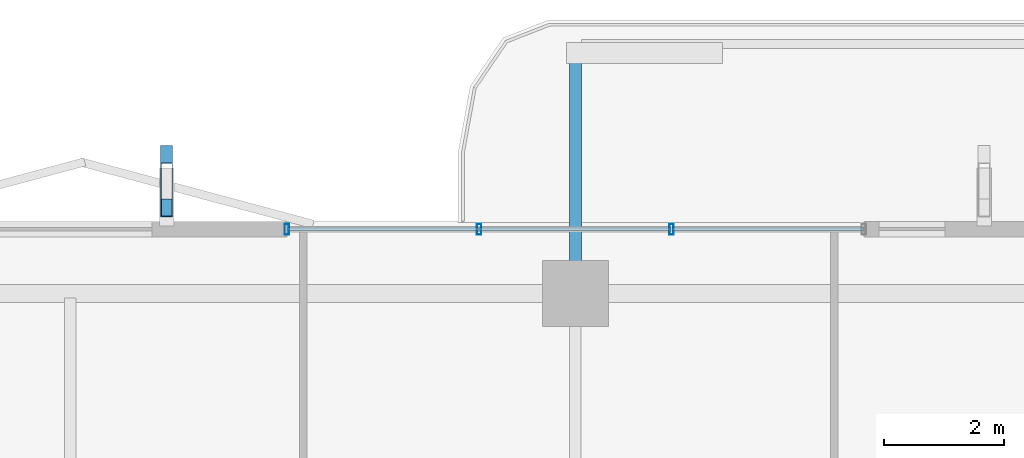
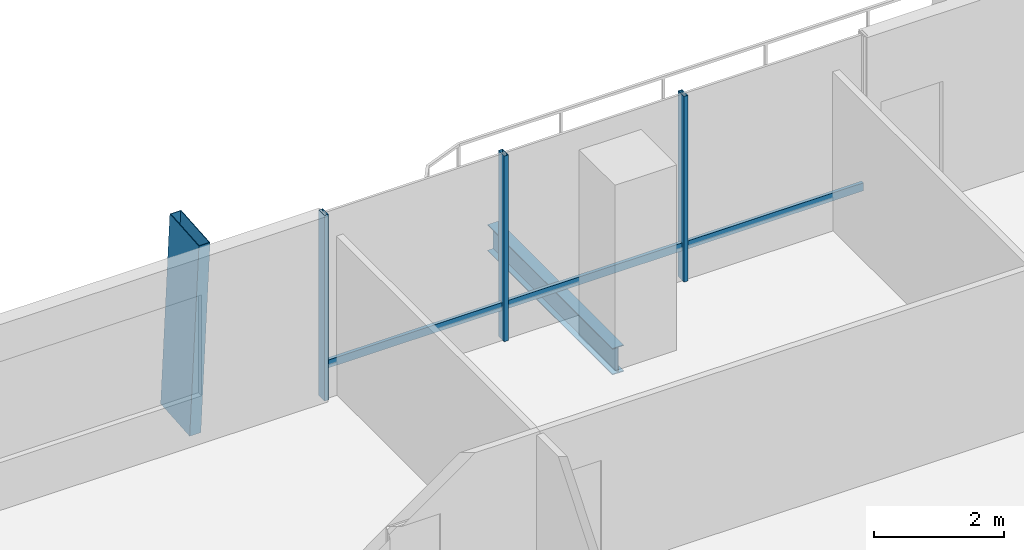
# One storey, part 14 of 25: 7 members, 1 beam, 1 element without a shape of its own.
"""IFC4 building model written with IfcOpenShell, lengths in metres."""

from ifc_helpers import new_model, si_unit, direction, frame, origin, origin_2d, place, context, subcontext, project, spatial, hollow_rectangle, i_section, extrude, material, layer, layer_set, material_profile, profile_set, type_object, element, aggregate, save


model = new_model("IFC4")

# Units and contexts
model_context = context("Model", 3, precision=1e-05, world=origin(), true_north=direction((0.0, 1.0)))
body_context = subcontext(model_context, "Body", "Model", "MODEL_VIEW")
ifc_project = project(units=[si_unit("LENGTHUNIT", "METRE"), si_unit("AREAUNIT", "SQUARE_METRE"), si_unit("VOLUMEUNIT", "CUBIC_METRE"), si_unit("PLANEANGLEUNIT", "RADIAN"), si_unit("MASSUNIT", "GRAM", prefix="KILO")], contexts=[model_context])

# Site, building, storey
site_placement = place(None, origin())
site = spatial("IfcSite", under=ifc_project, at=site_placement, CompositionType="ELEMENT")
building_placement = place(site_placement, origin())
building = spatial("IfcBuilding", under=site, at=building_placement, Name="Belovzor Exchange Tower", CompositionType="ELEMENT")
storey_placement = place(building_placement, frame((0.0, 0.0, 183.300048828125)))
storey = spatial("IfcBuildingStorey", under=building, at=storey_placement, Name="L45", CompositionType="ELEMENT", Elevation=183.300048828125)

# Beam
ifc_material_1 = material(Name="Steel S355", Category="steel")
ifc_material_profile_1 = material_profile(ifc_material_1, i_section(OverallWidth=0.199951171875, OverallDepth=0.5, WebThickness=0.01025390625, FlangeThickness=0.01611328125, at=origin_2d()))
ifc_profile_set_1 = profile_set([ifc_material_profile_1], Name="Steel S355")
beam_type = type_object("IfcBeamType", Name="Planted Balcony Cantilever Beam IPE 500", PredefinedType="BEAM", material=ifc_profile_set_1)
beam_placement = place(storey_placement, frame((28.800048828125, 52.202880859375, -0.505126953125), z_axis=(0.0, 1.0, 0.0), x_axis=(-1.0, 0.0, 0.0)))
element("IfcBeam", 1, at=beam_placement, inside=storey, type_object=beam_type, Name="BC-500 Planted Balcony Cantilever Beam IPE 500", PredefinedType="BEAM", context=body_context, shape_type="SweptSolid", body=[
    extrude(i_section(OverallWidth=0.199951171875, OverallDepth=0.5, WebThickness=0.01025390625, FlangeThickness=0.01611328125, at=origin_2d()), origin(), (0.0, 0.0, 1.0), 3.85009765625),
])

# Member
ifc_material_2 = material(Name="Extruded Architectural Terracotta on Steel S355 Carrier", Category="masonry")
ifc_material_profile_2 = material_profile(ifc_material_2, hollow_rectangle(XDim=0.199951171875, YDim=0.89990234375, WallThickness=0.011962890625, at=origin_2d()))
ifc_profile_set_2 = profile_set([ifc_material_profile_2], Name="Extruded Architectural Terracotta on Steel S355 Carrier")
member_type_1 = type_object("IfcMemberType", Name="Sweeping Terracotta Baguette Fin Assembly 1250", PredefinedType="USERDEFINED", material=ifc_profile_set_2)
member_1_placement = place(storey_placement, frame((22.0, 53.910888671875, -0.255126953125), z_axis=(0.0, -0.076016392655, 0.99710656805), x_axis=(1.0, 0.0, 0.0)))
element("IfcMember", 2, at=member_1_placement, inside=storey, type_object=member_type_1, Name="FIN-TC125 Terracotta Facade Fin L45 N2", ObjectType="FIN", PredefinedType="USERDEFINED", context=body_context, shape_type="SweptSolid", body=[
    extrude(hollow_rectangle(XDim=0.199951171875, YDim=0.89990234375, WallThickness=0.011962890625, at=origin_2d()), origin(), (0.0, 0.0, 1.0), 3.760986328125),
])

# Curtain wall, members
ifc_material_3 = material(Name="Anodised Aluminium Framing", Category="aluminium")
ifc_layer = layer(ifc_material_3, 0.179931640625)
ifc_layer_set = layer_set([ifc_layer], Name="Anodised Aluminium Framing")
curtain_wall_type = type_object("IfcCurtainWallType", Name="Recessed Loggia Low-Iron Triple-Glazed Curtain Wall", PredefinedType="NOTDEFINED", material=ifc_layer_set)
curtain_wall_placement = place(storey_placement, origin())
curtain_wall = element("IfcCurtainWall", 3, at=curtain_wall_placement, inside=storey, type_object=curtain_wall_type, Name="CW3 Recessed Loggia Low-Iron Triple-Glazed Curtain Wall L45", PredefinedType="NOTDEFINED")
ifc_material_4 = material(Name="Steel S355", Category="steel")
ifc_material_profile_3 = material_profile(ifc_material_4, hollow_rectangle(XDim=0.074951171875, YDim=0.179931640625, WallThickness=0.0048828125, at=origin_2d()))
ifc_profile_set_3 = profile_set([ifc_material_profile_3], Name="Steel S355")
member_type_2 = type_object("IfcMemberType", Name="Thermally Broken Curtain Wall Mullion 180x75", PredefinedType="MULLION", material=ifc_profile_set_3)
member_2_placement = place(storey_placement, frame((24.0, 52.969970703125, 0.0), z_axis=(0.0, 0.0, 1.0), x_axis=(1.0, 0.0, 0.0)))
member_2 = element("IfcMember", 4, at=member_2_placement, type_object=member_type_2, Name="CW-M180 Curtain Wall Mullion 1", PredefinedType="MULLION", context=body_context, shape_type="SweptSolid", body=[
    extrude(hollow_rectangle(XDim=0.074951171875, YDim=0.179931640625, WallThickness=0.0048828125, at=origin_2d()), origin(), (0.0, 0.0, 1.0), 3.494873046875),
])
member_3_placement = place(storey_placement, frame((27.199951171875, 52.969970703125, 0.0), z_axis=(0.0, 0.0, 1.0), x_axis=(1.0, 0.0, 0.0)))
member_3 = element("IfcMember", 5, at=member_3_placement, type_object=member_type_2, Name="CW-M180 Curtain Wall Mullion 2", PredefinedType="MULLION", context=body_context, shape_type="SweptSolid", body=[
    extrude(hollow_rectangle(XDim=0.074951171875, YDim=0.179931640625, WallThickness=0.0048828125, at=origin_2d()), origin(), (0.0, 0.0, 1.0), 3.494873046875),
])
member_4_placement = place(storey_placement, frame((30.39990234375, 52.969970703125, 0.0), z_axis=(0.0, 0.0, 1.0), x_axis=(1.0, 0.0, 0.0)))
member_4 = element("IfcMember", 6, at=member_4_placement, type_object=member_type_2, Name="CW-M180 Curtain Wall Mullion 3", PredefinedType="MULLION", context=body_context, shape_type="SweptSolid", body=[
    extrude(hollow_rectangle(XDim=0.074951171875, YDim=0.179931640625, WallThickness=0.0048828125, at=origin_2d()), origin(), (0.0, 0.0, 1.0), 3.494873046875),
])
ifc_material_5 = material(Name="Steel S355", Category="steel")
ifc_material_profile_4 = material_profile(ifc_material_5, hollow_rectangle(XDim=0.06005859375, YDim=0.14990234375, WallThickness=0.00390625, at=origin_2d()))
ifc_profile_set_4 = profile_set([ifc_material_profile_4], Name="Steel S355")
member_type_3 = type_object("IfcMemberType", Name="Thermally Broken Curtain Wall Transom 150x60", PredefinedType="USERDEFINED", material=ifc_profile_set_4)
member_5_placement = place(storey_placement, frame((24.008056640625, 52.969970703125, 0.62890625), z_axis=(1.0, 0.0, 0.0), x_axis=(0.0, 1.0, 0.0)))
member_5 = element("IfcMember", 7, at=member_5_placement, type_object=member_type_3, Name="CW-T150 Curtain Wall Transom 1", ObjectType="TRANSOM", PredefinedType="USERDEFINED", context=body_context, shape_type="SweptSolid", body=[
    extrude(hollow_rectangle(XDim=0.06005859375, YDim=0.14990234375, WallThickness=0.00390625, at=origin_2d()), origin(), (0.0, 0.0, 1.0), 3.183837890625),
])
member_6_placement = place(storey_placement, frame((27.2080078125, 52.969970703125, 0.62890625), z_axis=(1.0, 0.0, 0.0), x_axis=(0.0, 1.0, 0.0)))
member_6 = element("IfcMember", 8, at=member_6_placement, type_object=member_type_3, Name="CW-T150 Curtain Wall Transom 2", ObjectType="TRANSOM", PredefinedType="USERDEFINED", context=body_context, shape_type="SweptSolid", body=[
    extrude(hollow_rectangle(XDim=0.06005859375, YDim=0.14990234375, WallThickness=0.00390625, at=origin_2d()), origin(), (0.0, 0.0, 1.0), 3.18408203125),
])
member_7_placement = place(storey_placement, frame((30.407958984375, 52.969970703125, 0.62890625), z_axis=(1.0, 0.0, 0.0), x_axis=(0.0, 1.0, 0.0)))
member_7 = element("IfcMember", 9, at=member_7_placement, type_object=member_type_3, Name="CW-T150 Curtain Wall Transom 3", ObjectType="TRANSOM", PredefinedType="USERDEFINED", context=body_context, shape_type="SweptSolid", body=[
    extrude(hollow_rectangle(XDim=0.06005859375, YDim=0.14990234375, WallThickness=0.00390625, at=origin_2d()), origin(), (0.0, 0.0, 1.0), 3.18408203125),
])
aggregate(curtain_wall, [member_2, member_3, member_4, member_5, member_6, member_7])

save(model, "model.ifc")
